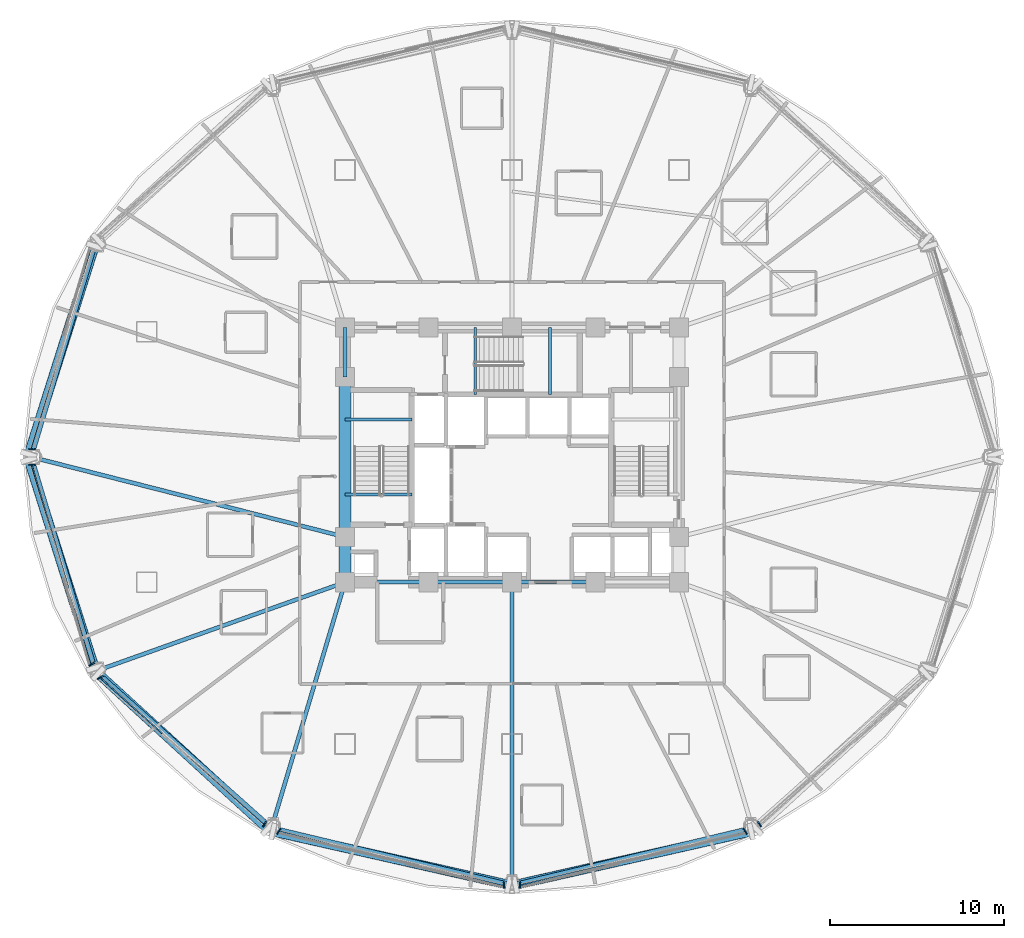
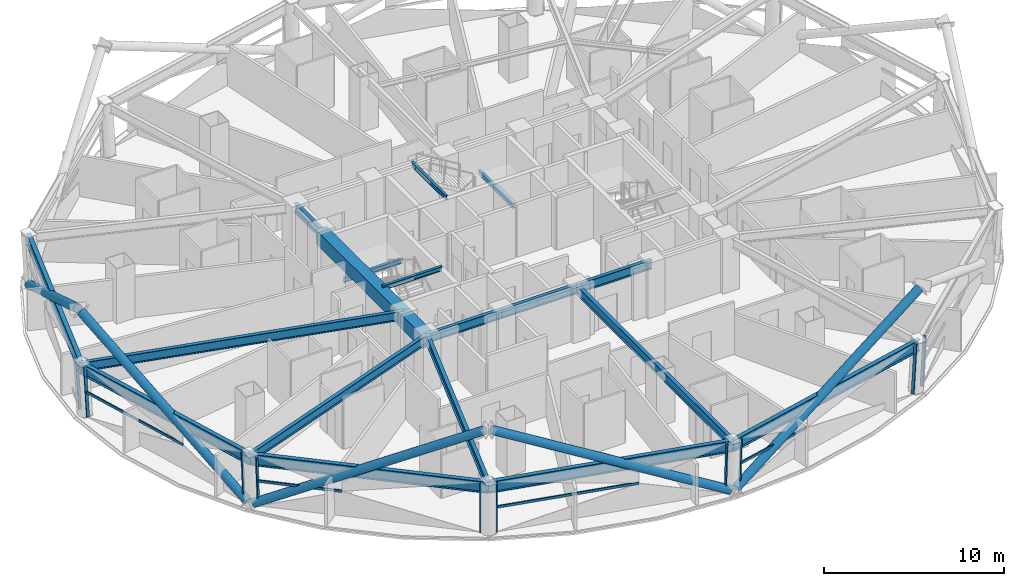
# One storey, part 2 of 16: 19 beams, 19 members, 6 elements without a shape of their own.
"""IFC4 building model written with IfcOpenShell, lengths in metres."""

from ifc_helpers import new_model, si_unit, direction, frame, origin, origin_2d, place, context, subcontext, project, spatial, rectangle, hollow_rectangle, hollow_circle, i_section, extrude, material, layer, layer_set, material_profile, profile_set, type_object, element, aggregate, save


model = new_model("IFC4")

# Units and contexts
model_context = context("Model", 3, precision=1e-05, world=origin(), true_north=direction((0.0, 1.0)))
body_context = subcontext(model_context, "Body", "Model", "MODEL_VIEW")
ifc_project = project(units=[si_unit("LENGTHUNIT", "METRE"), si_unit("AREAUNIT", "SQUARE_METRE"), si_unit("VOLUMEUNIT", "CUBIC_METRE"), si_unit("PLANEANGLEUNIT", "RADIAN"), si_unit("MASSUNIT", "GRAM", prefix="KILO")], contexts=[model_context])

# Site, building, storey
site_placement = place(None, origin())
site = spatial("IfcSite", under=ifc_project, at=site_placement, CompositionType="ELEMENT")
building_placement = place(site_placement, origin())
building = spatial("IfcBuilding", under=site, at=building_placement, Name="Vantalir Tower", CompositionType="ELEMENT")
storey_placement = place(building_placement, frame((0.0, 0.0, 64.5)))
storey = spatial("IfcBuildingStorey", under=building, at=storey_placement, Name="L15", CompositionType="ELEMENT", Elevation=64.5)

# Beams
ifc_material_1 = material(Name="Concrete C60/75", Category="concrete")
ifc_material_profile_1 = material_profile(ifc_material_1, rectangle(XDim=0.699951171875, YDim=0.949951171875, at=origin_2d()), Name="Concrete C60/75")
ifc_profile_set_1 = profile_set([ifc_material_profile_1], Name="Concrete C60/75")
beam_type_1 = type_object("IfcBeamType", Name="BM-CB-700x950", PredefinedType="USERDEFINED", material=ifc_profile_set_1)
beam_1_placement = place(storey_placement, frame((21.89990234375, 29.60009765625, 3.094970703125), z_axis=(0.0, -1.0, 0.0), x_axis=(1.0, 0.0, 0.0)))
element("IfcBeam", 1, at=beam_1_placement, inside=storey, type_object=beam_type_1, Name="L15 Core Coupling Girder 13", ObjectType="GIRDER", PredefinedType="USERDEFINED", context=body_context, shape_type="SweptSolid", body=[
    extrude(rectangle(XDim=0.699951171875, YDim=0.949951171875, at=origin_2d()), origin(), (0.0, 0.0, 1.0), 9.2001953125),
])
beam_2_placement = place(storey_placement, frame((21.89990234375, 20.39990234375, 3.094970703125), z_axis=(0.0, -1.0, 0.0), x_axis=(1.0, 0.0, 0.0)))
element("IfcBeam", 2, at=beam_2_placement, inside=storey, type_object=beam_type_1, Name="L15 Core Coupling Girder 14", ObjectType="GIRDER", PredefinedType="USERDEFINED", context=body_context, shape_type="SweptSolid", body=[
    extrude(rectangle(XDim=0.699951171875, YDim=0.949951171875, at=origin_2d()), origin(), (0.0, 0.0, 1.0), 2.599853515625),
])
ifc_material_2 = material(Name="Steel S355", Category="steel")
ifc_material_profile_2 = material_profile(ifc_material_2, i_section(OverallWidth=0.166015625, OverallDepth=0.306884765625, WebThickness=0.006591796875, FlangeThickness=0.01171875, at=origin_2d()), Name="Steel S355")
ifc_profile_set_2 = profile_set([ifc_material_profile_2], Name="Steel S355")
beam_type_2 = type_object("IfcBeamType", Name="BM-JS-305x165", PredefinedType="JOIST", material=ifc_profile_set_2)
for number, where, z_axis, x_axis, name in (
    (3, (21.89990234375, 22.8349609375, 3.595947265625), (1.0, 0.0, 0.0), (0.0, 1.0, 0.0), "L16 Stair ST1 Well Nosing Trimmer Beam"),
    (4, (21.89990234375, 27.14501953125, 1.52197265625), (1.0, 0.0, 0.0), (0.0, 1.0, 0.0), "L15 Stair ST1 Half-Landing Support Beam"),
):
    element("IfcBeam", number, at=place(storey_placement, frame(where, z_axis=z_axis, x_axis=x_axis)), inside=storey, type_object=beam_type_2, Name=name, PredefinedType="JOIST", context=body_context, shape_type="SweptSolid", body=[
        extrude(i_section(OverallWidth=0.166015625, OverallDepth=0.306884765625, WebThickness=0.006591796875, FlangeThickness=0.01171875, at=origin_2d()), origin(), (0.0, 0.0, 1.0), 3.840087890625),
    ])
for number, where, z_axis, x_axis, name in (
    (5, (29.385009765625, 28.60009765625, 3.595947265625), (0.0, 1.0, 0.0), (-1.0, 0.0, 0.0), "L16 Stair ST3 Well Nosing Trimmer Beam"),
    (6, (33.695068359375, 28.60009765625, 1.52197265625), (0.0, 1.0, 0.0), (-1.0, 0.0, 0.0), "L15 Stair ST3 Half-Landing Support Beam"),
):
    element("IfcBeam", number, at=place(storey_placement, frame(where, z_axis=z_axis, x_axis=x_axis)), inside=storey, type_object=beam_type_2, Name=name, PredefinedType="JOIST", context=body_context, shape_type="SweptSolid", body=[
        extrude(i_section(OverallWidth=0.166015625, OverallDepth=0.306884765625, WebThickness=0.006591796875, FlangeThickness=0.01171875, at=origin_2d()), origin(), (0.0, 0.0, 1.0), 3.849853515625),
    ])
ifc_material_profile_3 = material_profile(ifc_material_2, i_section(OverallWidth=0.22998046875, OverallDepth=0.616943359375, WebThickness=0.01318359375, FlangeThickness=0.022216796875, at=origin_2d()), Name="Steel S355")
ifc_profile_set_3 = profile_set([ifc_material_profile_3], Name="Steel S355")
beam_type_3 = type_object("IfcBeamType", Name="BM-RB-610x229", PredefinedType="BEAM", material=ifc_profile_set_3)
for number, where, z_axis, x_axis, name in (
    (7, (21.89990234375, 17.800048828125, 3.261962890625), (1.0, 0.0, 0.0), (0.0, 1.0, 0.0), "L15 Core Coupling Girder 01"),
    (8, (26.699951171875, 17.800048828125, 3.261962890625), (1.0, 0.0, 0.0), (0.0, 1.0, 0.0), "L15 Core Coupling Girder 02"),
    (9, (31.5, 17.800048828125, 3.261962890625), (1.0, 0.0, 0.0), (0.0, 1.0, 0.0), "L15 Core Coupling Girder 03"),
):
    element("IfcBeam", number, at=place(storey_placement, frame(where, z_axis=z_axis, x_axis=x_axis)), inside=storey, type_object=beam_type_3, Name=name, PredefinedType="BEAM", context=body_context, shape_type="SweptSolid", body=[
        extrude(i_section(OverallWidth=0.22998046875, OverallDepth=0.616943359375, WebThickness=0.01318359375, FlangeThickness=0.022216796875, at=origin_2d()), origin(), (0.0, 0.0, 1.0), 4.800048828125),
    ])
beam_3_placement = place(storey_placement, frame((21.89990234375, 32.449951171875, 3.261962890625), z_axis=(0.0, -1.0, 0.0), x_axis=(1.0, 0.0, 0.0)))
element("IfcBeam", 10, at=beam_3_placement, inside=storey, type_object=beam_type_3, Name="L15 Core Coupling Girder 12", PredefinedType="BEAM", context=body_context, shape_type="SweptSolid", body=[
    extrude(i_section(OverallWidth=0.22998046875, OverallDepth=0.616943359375, WebThickness=0.01318359375, FlangeThickness=0.022216796875, at=origin_2d()), origin(), (0.0, 0.0, 1.0), 2.849853515625),
])
beam_4_placement = place(storey_placement, frame((3.85009765625, 25.0, 3.261962890625), z_axis=(0.969025237662, -0.246961715198, 0.0), x_axis=(0.246961715198, 0.969025237662, 0.0)))
element("IfcBeam", 11, at=beam_4_placement, inside=storey, type_object=beam_type_3, Name="L15 Radial Floor Beam 07", PredefinedType="BEAM", context=body_context, shape_type="SweptSolid", body=[
    extrude(i_section(OverallWidth=0.22998046875, OverallDepth=0.616943359375, WebThickness=0.01318359375, FlangeThickness=0.022216796875, at=origin_2d()), origin(), (0.0, 0.0, 1.0), 18.626708984375),
])
beam_5_placement = place(storey_placement, frame((7.553955078125, 12.68505859375, 3.261962890625), z_axis=(0.941919846836, 0.335837761629, 0.0), x_axis=(-0.335837761629, 0.941919846836, 0.0)))
element("IfcBeam", 12, at=beam_5_placement, inside=storey, type_object=beam_type_3, Name="L15 Radial Floor Beam 08", PredefinedType="BEAM", context=body_context, shape_type="SweptSolid", body=[
    extrude(i_section(OverallWidth=0.22998046875, OverallDepth=0.616943359375, WebThickness=0.01318359375, FlangeThickness=0.022216796875, at=origin_2d()), origin(), (0.0, 0.0, 1.0), 15.23046875),
])
beam_6_placement = place(storey_placement, frame((17.675048828125, 3.6708984375, 3.261962890625), z_axis=(0.28648356936, 0.958085155133, 0.0), x_axis=(-0.958085155133, 0.28648356936, 0.0)))
element("IfcBeam", 13, at=beam_6_placement, inside=storey, type_object=beam_type_3, Name="L15 Radial Floor Beam 09", PredefinedType="BEAM", context=body_context, shape_type="SweptSolid", body=[
    extrude(i_section(OverallWidth=0.22998046875, OverallDepth=0.616943359375, WebThickness=0.01318359375, FlangeThickness=0.022216796875, at=origin_2d()), origin(), (0.0, 0.0, 1.0), 14.747314453125),
])
beam_7_placement = place(storey_placement, frame((31.5, 0.37109375, 3.261962890625), z_axis=(0.0, 1.0, 0.0), x_axis=(-1.0, 0.0, 0.0)))
element("IfcBeam", 14, at=beam_7_placement, inside=storey, type_object=beam_type_3, Name="L15 Radial Floor Beam 10", PredefinedType="BEAM", context=body_context, shape_type="SweptSolid", body=[
    extrude(i_section(OverallWidth=0.22998046875, OverallDepth=0.616943359375, WebThickness=0.01318359375, FlangeThickness=0.022216796875, at=origin_2d()), origin(), (0.0, 0.0, 1.0), 17.428955078125),
])
ifc_material_3 = material(Name="Steel S460", Category="steel")
ifc_material_profile_4 = material_profile(ifc_material_3, i_section(OverallWidth=0.26806640625, OverallDepth=0.77001953125, WebThickness=0.015625, FlangeThickness=0.025390625, at=origin_2d()), Name="Steel S460")
ifc_profile_set_4 = profile_set([ifc_material_profile_4], Name="Steel S460")
beam_type_4 = type_object("IfcBeamType", Name="BM-RG-762x267", PredefinedType="USERDEFINED", material=ifc_profile_set_4)
beam_8_placement = place(storey_placement, frame((7.553955078125, 37.31396484375, 3.18505859375), z_axis=(-0.288037579995, -0.957619106175, 0.0), x_axis=(0.957619106175, -0.288037579995, 0.0)))
element("IfcBeam", 15, at=beam_8_placement, inside=storey, type_object=beam_type_4, Name="L15 Circumferential Ring Girder 06", ObjectType="GIRDER", PredefinedType="USERDEFINED", context=body_context, shape_type="SweptSolid", body=[
    extrude(i_section(OverallWidth=0.26806640625, OverallDepth=0.77001953125, WebThickness=0.015625, FlangeThickness=0.025390625, at=origin_2d()), origin(), (0.0, 0.0, 1.0), 12.85888671875),
])
beam_9_placement = place(storey_placement, frame((3.85009765625, 25.0, 3.18505859375), z_axis=(0.288016633723, -0.957625406252, 0.0), x_axis=(0.957625406252, 0.288016633723, 0.0)))
element("IfcBeam", 16, at=beam_9_placement, inside=storey, type_object=beam_type_4, Name="L15 Circumferential Ring Girder 07", ObjectType="GIRDER", PredefinedType="USERDEFINED", context=body_context, shape_type="SweptSolid", body=[
    extrude(i_section(OverallWidth=0.26806640625, OverallDepth=0.77001953125, WebThickness=0.015625, FlangeThickness=0.025390625, at=origin_2d()), origin(), (0.0, 0.0, 1.0), 12.85986328125),
])
beam_10_placement = place(storey_placement, frame((7.553955078125, 12.68505859375, 3.18505859375), z_axis=(0.746762968032, -0.66509027175, 0.0), x_axis=(0.66509027175, 0.746762968032, 0.0)))
element("IfcBeam", 17, at=beam_10_placement, inside=storey, type_object=beam_type_4, Name="L15 Circumferential Ring Girder 08", ObjectType="GIRDER", PredefinedType="USERDEFINED", context=body_context, shape_type="SweptSolid", body=[
    extrude(i_section(OverallWidth=0.26806640625, OverallDepth=0.77001953125, WebThickness=0.015625, FlangeThickness=0.025390625, at=origin_2d()), origin(), (0.0, 0.0, 1.0), 13.55322265625),
])
for number, where, z_axis, x_axis, name in (
    (18, (17.675048828125, 3.6708984375, 3.18505859375), (0.972676867925, -0.232163112064, 0.0), (0.232163112064, 0.972676867925, 0.0), "L15 Circumferential Ring Girder 09"),
    (19, (31.5, 0.37109375, 3.18505859375), (0.972676867925, 0.232163112064, 0.0), (-0.232163112064, 0.972676867925, 0.0), "L15 Circumferential Ring Girder 10"),
):
    element("IfcBeam", number, at=place(storey_placement, frame(where, z_axis=z_axis, x_axis=x_axis)), inside=storey, type_object=beam_type_4, Name=name, ObjectType="GIRDER", PredefinedType="USERDEFINED", context=body_context, shape_type="SweptSolid", body=[
        extrude(i_section(OverallWidth=0.26806640625, OverallDepth=0.77001953125, WebThickness=0.015625, FlangeThickness=0.025390625, at=origin_2d()), origin(), (0.0, 0.0, 1.0), 14.21337890625),
    ])

# Curtain wall, member
ifc_material_4 = material(Name="Champagne-silver PVDF aluminium and double-silver Low-E glass", Category="aluminium")
ifc_layer = layer(ifc_material_4, 0.18994140625)
ifc_layer_set = layer_set([ifc_layer], Name="Champagne-silver PVDF aluminium and double-silver Low-E glass")
curtain_wall_type = type_object("IfcCurtainWallType", Name="CW-DIAMOND-Z1", PredefinedType="USERDEFINED", material=ifc_layer_set)
curtain_wall_1_placement = place(storey_placement, origin())
curtain_wall_1 = element("IfcCurtainWall", 20, at=curtain_wall_1_placement, inside=storey, type_object=curtain_wall_type, Name="L15 Quilted Pyramid-Diamond Curtain Wall S06", ObjectType="UNITISED CURTAIN WALL", PredefinedType="USERDEFINED")
ifc_material_5 = material(Name="Champagne-silver PVDF aluminium 6063-T6", Category="aluminium")
ifc_material_profile_5 = material_profile(ifc_material_5, hollow_rectangle(XDim=0.074951171875, YDim=0.179931640625, WallThickness=0.00390625, at=origin_2d()), Name="Champagne-silver PVDF aluminium 6063-T6")
ifc_profile_set_5 = profile_set([ifc_material_profile_5], Name="Champagne-silver PVDF aluminium 6063-T6")
member_type_1 = type_object("IfcMemberType", Name="CWM-180x75", PredefinedType="MULLION", material=ifc_profile_set_5)
member_1_placement = place(storey_placement, frame((3.993896484375, 25.449951171875, 0.044921875), z_axis=(-0.057083699865, 0.0, 0.99836939617), x_axis=(0.0, -1.0, 0.0)))
member_1 = element("IfcMember", 21, at=member_1_placement, type_object=member_type_1, Name="CW-L15-S06 Mullion 2", PredefinedType="MULLION", context=body_context, shape_type="SweptSolid", body=[
    extrude(hollow_rectangle(XDim=0.074951171875, YDim=0.179931640625, WallThickness=0.00390625, at=origin_2d()), origin(), (0.0, 0.0, 1.0), 3.485595703125),
])
aggregate(curtain_wall_1, [member_1])

# Curtain wall, members
curtain_wall_2_placement = place(storey_placement, origin())
curtain_wall_2 = element("IfcCurtainWall", 22, at=curtain_wall_2_placement, inside=storey, type_object=curtain_wall_type, Name="L15 Quilted Pyramid-Diamond Curtain Wall S07", ObjectType="UNITISED CURTAIN WALL", PredefinedType="USERDEFINED")
member_2_placement = place(storey_placement, frame((3.993896484375, 24.550048828125, 0.044921875), z_axis=(-0.057083699865, 0.0, 0.99836939617), x_axis=(0.0, -1.0, 0.0)))
member_2 = element("IfcMember", 23, at=member_2_placement, type_object=member_type_1, Name="CW-L15-S07 Mullion 1", PredefinedType="MULLION", context=body_context, shape_type="SweptSolid", body=[
    extrude(hollow_rectangle(XDim=0.074951171875, YDim=0.179931640625, WallThickness=0.00390625, at=origin_2d()), origin(), (0.0, 0.0, 1.0), 3.485595703125),
])
member_3_placement = place(storey_placement, frame((7.427001953125, 13.12890625, 0.044921875), z_axis=(-0.049383355368, -0.025497221779, 0.998454393497), x_axis=(0.458771333009, -0.888554367503, 0.0)))
member_3 = element("IfcMember", 24, at=member_3_placement, type_object=member_type_1, Name="CW-L15-S07 Mullion 2", PredefinedType="MULLION", context=body_context, shape_type="SweptSolid", body=[
    extrude(hollow_rectangle(XDim=0.074951171875, YDim=0.179931640625, WallThickness=0.00390625, at=origin_2d()), origin(), (0.0, 0.0, 1.0), 3.4853515625),
])

curtain_wall_3_placement = place(storey_placement, origin())
curtain_wall_3 = element("IfcCurtainWall", 25, at=curtain_wall_3_placement, inside=storey, type_object=curtain_wall_type, Name="L15 Quilted Pyramid-Diamond Curtain Wall S08", ObjectType="UNITISED CURTAIN WALL", PredefinedType="USERDEFINED")
member_4_placement = place(storey_placement, frame((7.9130859375, 12.365966796875, 0.044921875), z_axis=(-0.049383355368, -0.025497221779, 0.998454393497), x_axis=(0.458771333009, -0.888554367503, 0.0)))
member_4 = element("IfcMember", 26, at=member_4_placement, type_object=member_type_1, Name="CW-L15-S08 Mullion 1", PredefinedType="MULLION", context=body_context, shape_type="SweptSolid", body=[
    extrude(hollow_rectangle(XDim=0.074951171875, YDim=0.179931640625, WallThickness=0.00390625, at=origin_2d()), origin(), (0.0, 0.0, 1.0), 3.4853515625),
])
member_5_placement = place(storey_placement, frame((17.327880859375, 3.972900390625, 0.044921875), z_axis=(-0.028373936974, -0.044137235293, 0.998622463277), x_axis=(0.841178475377, -0.540757591313, 0.0)))
member_5 = element("IfcMember", 27, at=member_5_placement, type_object=member_type_1, Name="CW-L15-S08 Mullion 2", PredefinedType="MULLION", context=body_context, shape_type="SweptSolid", body=[
    extrude(hollow_rectangle(XDim=0.074951171875, YDim=0.179931640625, WallThickness=0.00390625, at=origin_2d()), origin(), (0.0, 0.0, 1.0), 3.48486328125),
])

curtain_wall_4_placement = place(storey_placement, origin())
curtain_wall_4 = element("IfcCurtainWall", 28, at=curtain_wall_4_placement, inside=storey, type_object=curtain_wall_type, Name="L15 Quilted Pyramid-Diamond Curtain Wall S09", ObjectType="UNITISED CURTAIN WALL", PredefinedType="USERDEFINED")
member_6_placement = place(storey_placement, frame((18.135986328125, 3.551025390625, 0.044921875), z_axis=(-0.028373849166, -0.04420715759, 0.998619372885), x_axis=(0.841568257174, -0.540150783131, 0.0)))
member_6 = element("IfcMember", 29, at=member_6_placement, type_object=member_type_1, Name="CW-L15-S09 Mullion 1", PredefinedType="MULLION", context=body_context, shape_type="SweptSolid", body=[
    extrude(hollow_rectangle(XDim=0.074951171875, YDim=0.179931640625, WallThickness=0.00390625, at=origin_2d()), origin(), (0.0, 0.0, 1.0), 3.48486328125),
])
member_7_placement = place(storey_placement, frame((31.04296875, 0.468017578125, 0.044921875), z_axis=(0.0, -0.051076782492, 0.998694729279), x_axis=(1.0, 0.0, 0.0)))
member_7 = element("IfcMember", 30, at=member_7_placement, type_object=member_type_1, Name="CW-L15-S09 Mullion 2", PredefinedType="MULLION", context=body_context, shape_type="SweptSolid", body=[
    extrude(hollow_rectangle(XDim=0.074951171875, YDim=0.179931640625, WallThickness=0.00390625, at=origin_2d()), origin(), (0.0, 0.0, 1.0), 3.484619140625),
])

curtain_wall_5_placement = place(storey_placement, origin())
curtain_wall_5 = element("IfcCurtainWall", 31, at=curtain_wall_5_placement, inside=storey, type_object=curtain_wall_type, Name="L15 Quilted Pyramid-Diamond Curtain Wall S10", ObjectType="UNITISED CURTAIN WALL", PredefinedType="USERDEFINED")
member_8_placement = place(storey_placement, frame((31.95703125, 0.468017578125, 0.044921875), z_axis=(0.0, -0.051076782492, 0.998694729279), x_axis=(1.0, 0.0, 0.0)))
member_8 = element("IfcMember", 32, at=member_8_placement, type_object=member_type_1, Name="CW-L15-S10 Mullion 1", PredefinedType="MULLION", context=body_context, shape_type="SweptSolid", body=[
    extrude(hollow_rectangle(XDim=0.074951171875, YDim=0.179931640625, WallThickness=0.00390625, at=origin_2d()), origin(), (0.0, 0.0, 1.0), 3.484619140625),
])
member_9_placement = place(storey_placement, frame((44.864013671875, 3.551025390625, 0.044921875), z_axis=(0.028373849166, -0.04420715759, 0.998619372885), x_axis=(0.841568257174, 0.540150783131, 0.0)))
member_9 = element("IfcMember", 33, at=member_9_placement, type_object=member_type_1, Name="CW-L15-S10 Mullion 2", PredefinedType="MULLION", context=body_context, shape_type="SweptSolid", body=[
    extrude(hollow_rectangle(XDim=0.074951171875, YDim=0.179931640625, WallThickness=0.00390625, at=origin_2d()), origin(), (0.0, 0.0, 1.0), 3.48486328125),
])

# Curtain wall, member
curtain_wall_6_placement = place(storey_placement, origin())
curtain_wall_6 = element("IfcCurtainWall", 34, at=curtain_wall_6_placement, inside=storey, type_object=curtain_wall_type, Name="L15 Quilted Pyramid-Diamond Curtain Wall S11", ObjectType="UNITISED CURTAIN WALL", PredefinedType="USERDEFINED")
member_10_placement = place(storey_placement, frame((45.672119140625, 3.972900390625, 0.044921875), z_axis=(0.028373936974, -0.044137235293, 0.998622463277), x_axis=(0.841178475377, 0.540757591313, 0.0)))
member_10 = element("IfcMember", 35, at=member_10_placement, type_object=member_type_1, Name="CW-L15-S11 Mullion 1", PredefinedType="MULLION", context=body_context, shape_type="SweptSolid", body=[
    extrude(hollow_rectangle(XDim=0.074951171875, YDim=0.179931640625, WallThickness=0.00390625, at=origin_2d()), origin(), (0.0, 0.0, 1.0), 3.48486328125),
])
aggregate(curtain_wall_6, [member_10])

# Member
ifc_material_profile_6 = material_profile(ifc_material_5, hollow_rectangle(XDim=0.074951171875, YDim=0.159912109375, WallThickness=0.00390625, at=origin_2d()), Name="Champagne-silver PVDF aluminium 6063-T6")
ifc_profile_set_6 = profile_set([ifc_material_profile_6], Name="Champagne-silver PVDF aluminium 6063-T6")
member_type_2 = type_object("IfcMemberType", Name="CWT-160x75", PredefinedType="USERDEFINED", material=ifc_profile_set_6)
member_11_placement = place(storey_placement, frame((3.89501953125, 24.550048828125, 1.784912109375), z_axis=(0.284694170724, -0.958618396003, 0.0), x_axis=(0.958618396003, 0.284694170724, 0.0)))
member_11 = element("IfcMember", 36, at=member_11_placement, type_object=member_type_2, Name="CW-L15-S07 Pyramid Fold Ridge Transom", ObjectType="TRANSOM", PredefinedType="USERDEFINED", context=body_context, shape_type="SweptSolid", body=[
    extrude(hollow_rectangle(XDim=0.074951171875, YDim=0.159912109375, WallThickness=0.00390625, at=origin_2d()), origin(), (0.0, 0.0, 1.0), 7.422119140625),
])

aggregate(curtain_wall_2, [member_2, member_3, member_11])

member_12_placement = place(storey_placement, frame((7.826904296875, 12.322021484375, 1.784912109375), z_axis=(0.743155258627, -0.669119018991, 0.0), x_axis=(0.669119018991, 0.743155258627, 0.0)))
member_12 = element("IfcMember", 37, at=member_12_placement, type_object=member_type_2, Name="CW-L15-S08 Pyramid Fold Ridge Transom", ObjectType="TRANSOM", PredefinedType="USERDEFINED", context=body_context, shape_type="SweptSolid", body=[
    extrude(hollow_rectangle(XDim=0.074951171875, YDim=0.159912109375, WallThickness=0.00390625, at=origin_2d()), origin(), (0.0, 0.0, 1.0), 4.807861328125),
])

aggregate(curtain_wall_3, [member_4, member_5, member_12])

member_13_placement = place(storey_placement, frame((18.0869140625, 3.47412109375, 1.784912109375), z_axis=(0.971956049575, -0.235162577158, 0.0), x_axis=(0.235162577158, 0.971956049575, 0.0)))
member_13 = element("IfcMember", 38, at=member_13_placement, type_object=member_type_2, Name="CW-L15-S09 Pyramid Fold Ridge Transom", ObjectType="TRANSOM", PredefinedType="USERDEFINED", context=body_context, shape_type="SweptSolid", body=[
    extrude(hollow_rectangle(XDim=0.074951171875, YDim=0.159912109375, WallThickness=0.00390625, at=origin_2d()), origin(), (0.0, 0.0, 1.0), 8.2587890625),
])

aggregate(curtain_wall_4, [member_6, member_7, member_13])

member_14_placement = place(storey_placement, frame((31.95703125, 0.37890625, 1.784912109375), z_axis=(0.973710488152, 0.22778912455, 0.0), x_axis=(-0.22778912455, 0.973710488152, 0.0)))
member_14 = element("IfcMember", 39, at=member_14_placement, type_object=member_type_2, Name="CW-L15-S10 Pyramid Fold Ridge Transom", ObjectType="TRANSOM", PredefinedType="USERDEFINED", context=body_context, shape_type="SweptSolid", body=[
    extrude(hollow_rectangle(XDim=0.074951171875, YDim=0.159912109375, WallThickness=0.00390625, at=origin_2d()), origin(), (0.0, 0.0, 1.0), 5.06201171875),
])

aggregate(curtain_wall_5, [member_8, member_9, member_14])

# Members
ifc_material_profile_7 = material_profile(ifc_material_3, hollow_circle(Radius=0.27001953125, WallThickness=0.044921875, at=origin_2d()), Name="Steel S460")
ifc_profile_set_7 = profile_set([ifc_material_profile_7], Name="Steel S460")
member_type_3 = type_object("IfcMemberType", Name="MEM-DB-540x45", PredefinedType="BRACE", material=ifc_profile_set_7)
member_15_placement = place(storey_placement, frame((7.50390625, 37.136962890625, 0.18701171875), z_axis=(-0.264111999198, -0.833927633761, 0.484571515392), x_axis=(0.953330737057, -0.301927981119, 0.0)))
element("IfcMember", 40, at=member_15_placement, inside=storey, type_object=member_type_3, Name="L15 Perimeter S460 Diagrid Brace R16L", PredefinedType="BRACE", context=body_context, shape_type="SweptSolid", body=[
    extrude(hollow_circle(Radius=0.27001953125, WallThickness=0.044921875, at=origin_2d()), origin(), (0.0, 0.0, 1.0), 14.33447265625),
])
member_16_placement = place(storey_placement, frame((7.7060546875, 12.548095703125, 0.18310546875), z_axis=(0.652391826836, -0.597488374555, 0.466253736231), x_axis=(0.675394422231, 0.73745669325, 0.0)))
element("IfcMember", 41, at=member_16_placement, inside=storey, type_object=member_type_3, Name="L15 Perimeter S460 Diagrid Brace R22L", PredefinedType="BRACE", context=body_context, shape_type="SweptSolid", body=[
    extrude(hollow_circle(Radius=0.27001953125, WallThickness=0.044921875, at=origin_2d()), origin(), (0.0, 0.0, 1.0), 14.914306640625),
])
member_17_placement = place(storey_placement, frame((7.50390625, 12.862060546875, 0.18701171875), z_axis=(-0.264096994835, 0.833948381124, 0.48454398659), x_axis=(-0.953337836004, -0.30190556544, 0.0)))
element("IfcMember", 42, at=member_17_placement, inside=storey, type_object=member_type_3, Name="L15 Perimeter S460 Diagrid Brace R22R", PredefinedType="BRACE", context=body_context, shape_type="SweptSolid", body=[
    extrude(hollow_circle(Radius=0.27001953125, WallThickness=0.044921875, at=origin_2d()), origin(), (0.0, 0.0, 1.0), 14.335205078125),
])
for number, where, z_axis, x_axis, name in (
    (43, (31.69189453125, 0.402099609375, 0.178955078125), (0.87181782299, 0.197135488905, 0.448409726178), (-0.220551897326, 0.975375240913, 0.0), "L15 Perimeter S460 Diagrid Brace R28L"),
    (44, (31.30810546875, 0.402099609375, 0.178955078125), (-0.87181782299, 0.197135488905, 0.448409726178), (-0.220551897326, -0.975375240913, 0.0), "L15 Perimeter S460 Diagrid Brace R28R"),
):
    element("IfcMember", number, at=place(storey_placement, frame(where, z_axis=z_axis, x_axis=x_axis)), inside=storey, type_object=member_type_3, Name=name, PredefinedType="BRACE", context=body_context, shape_type="SweptSolid", body=[
        extrude(hollow_circle(Radius=0.27001953125, WallThickness=0.044921875, at=origin_2d()), origin(), (0.0, 0.0, 1.0), 15.5263671875),
    ])

save(model, "model.ifc")
